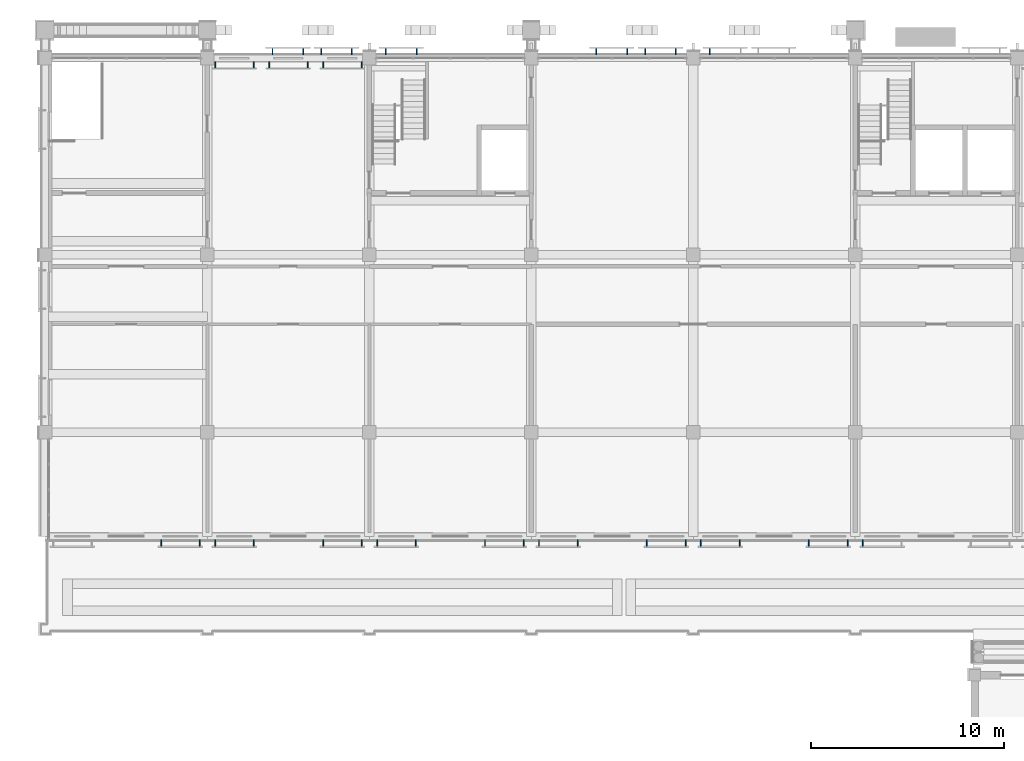
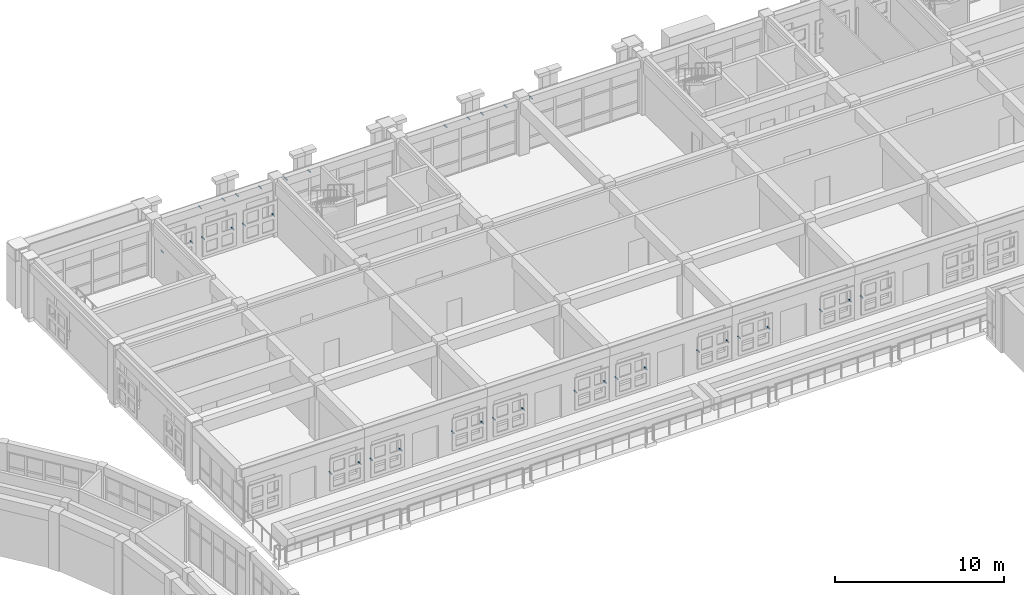
# One storey, part 80 of 99: 36 discrete accessories.
"""IFC4 building model written with IfcOpenShell, lengths in metres."""

from ifc_helpers import new_model, si_unit, direction, frame, origin, origin_2d, place, context, subcontext, project, spatial, rectangle, extrude, material, type_object, element, save


model = new_model("IFC4")

# Units and contexts
model_context = context("Model", 3, precision=1e-05, world=origin(), true_north=direction((0.0, 1.0)))
body_context = subcontext(model_context, "Body", "Model", "MODEL_VIEW")
ifc_project = project(units=[si_unit("LENGTHUNIT", "METRE"), si_unit("AREAUNIT", "SQUARE_METRE"), si_unit("VOLUMEUNIT", "CUBIC_METRE"), si_unit("PLANEANGLEUNIT", "RADIAN"), si_unit("MASSUNIT", "GRAM", prefix="KILO")], contexts=[model_context])

# Site, building, storey
site_placement = place(None, origin())
site = spatial("IfcSite", under=ifc_project, at=site_placement, CompositionType="ELEMENT")
building_placement = place(site_placement, origin())
building = spatial("IfcBuilding", under=site, at=building_placement, Name="Wasatch Bagh Community Centre", CompositionType="ELEMENT")
storey_placement = place(building_placement, frame((0.0, 0.0, 4.199951171875)))
storey = spatial("IfcBuildingStorey", under=building, at=storey_placement, Name="L01", CompositionType="ELEMENT", Elevation=4.199951171875)

# Discrete accessories
ifc_material = material(Name="Galvanised steel", Category="steel")
discrete_accessory_type = type_object("IfcDiscreteAccessoryType", Name="LW jali bracket", PredefinedType="BRACKET", material=ifc_material)
for number, where, z_axis, x_axis, name in (
    (1, (70.0, 72.659912109375, 1.63525390625), (0.0, 0.0, 1.0), (1.0, 0.0, 0.0), "Jali bracket"),
    (2, (72.0, 72.659912109375, 1.63525390625), (0.0, 0.0, 1.0), (1.0, 0.0, 0.0), "Jali bracket"),
    (3, (72.800048828125, 72.659912109375, 1.63525390625), (0.0, 0.0, 1.0), (1.0, 0.0, 0.0), "Jali bracket"),
    (4, (74.800048828125, 72.659912109375, 1.63525390625), (0.0, 0.0, 1.0), (1.0, 0.0, 0.0), "Jali bracket"),
    (5, (78.39990234375, 72.659912109375, 1.63525390625), (0.0, 0.0, 1.0), (1.0, 0.0, 0.0), "Jali bracket"),
    (6, (80.39990234375, 72.659912109375, 1.63525390625), (0.0, 0.0, 1.0), (1.0, 0.0, 0.0), "Jali bracket"),
    (7, (81.199951171875, 72.659912109375, 1.63525390625), (0.0, 0.0, 1.0), (1.0, 0.0, 0.0), "Jali bracket"),
    (8, (83.199951171875, 72.659912109375, 1.63525390625), (0.0, 0.0, 1.0), (1.0, 0.0, 0.0), "Jali bracket"),
    (9, (86.800048828125, 72.659912109375, 1.63525390625), (0.0, 0.0, 1.0), (1.0, 0.0, 0.0), "Jali bracket"),
    (10, (88.800048828125, 72.659912109375, 1.63525390625), (0.0, 0.0, 1.0), (1.0, 0.0, 0.0), "Jali bracket"),
    (11, (89.60009765625, 72.659912109375, 1.63525390625), (0.0, 0.0, 1.0), (1.0, 0.0, 0.0), "Jali bracket"),
    (12, (91.60009765625, 72.659912109375, 1.63525390625), (0.0, 0.0, 1.0), (1.0, 0.0, 0.0), "Jali bracket"),
    (13, (95.199951171875, 72.659912109375, 1.63525390625), (0.0, 0.0, 1.0), (1.0, 0.0, 0.0), "Jali bracket"),
    (14, (97.199951171875, 72.659912109375, 1.63525390625), (0.0, 0.0, 1.0), (1.0, 0.0, 0.0), "Jali bracket"),
    (15, (98.0, 72.659912109375, 1.63525390625), (0.0, 0.0, 1.0), (1.0, 0.0, 0.0), "Jali bracket"),
    (16, (100.0, 72.659912109375, 1.63525390625), (0.0, 0.0, 1.0), (1.0, 0.0, 0.0), "Jali bracket"),
    (17, (103.60009765625, 72.659912109375, 1.63525390625), (0.0, 0.0, 1.0), (1.0, 0.0, 0.0), "Jali bracket"),
    (18, (105.60009765625, 72.659912109375, 1.63525390625), (0.0, 0.0, 1.0), (1.0, 0.0, 0.0), "Jali bracket"),
    (19, (106.39990234375, 72.659912109375, 1.63525390625), (0.0, 0.0, 1.0), (1.0, 0.0, 0.0), "Jali bracket"),
    (20, (72.800048828125, 97.4599609375, 1.63525390625), (0.0, 0.0, 1.0), (1.0, 0.0, 0.0), "Jali bracket"),
    (21, (74.800048828125, 97.4599609375, 1.63525390625), (0.0, 0.0, 1.0), (1.0, 0.0, 0.0), "Jali bracket"),
    (22, (75.60009765625, 97.4599609375, 1.63525390625), (0.0, 0.0, 1.0), (1.0, 0.0, 0.0), "Jali bracket"),
    (23, (77.60009765625, 97.4599609375, 1.63525390625), (0.0, 0.0, 1.0), (1.0, 0.0, 0.0), "Jali bracket"),
    (24, (78.39990234375, 97.4599609375, 1.63525390625), (0.0, 0.0, 1.0), (1.0, 0.0, 0.0), "Jali bracket"),
    (25, (80.39990234375, 97.4599609375, 1.63525390625), (0.0, 0.0, 1.0), (1.0, 0.0, 0.0), "Jali bracket"),
):
    element("IfcDiscreteAccessory", number, at=place(storey_placement, frame(where, z_axis=z_axis, x_axis=x_axis)), inside=storey, type_object=discrete_accessory_type, Name=name, PredefinedType="BRACKET", context=body_context, shape_type="SweptSolid", body=[
        extrude(rectangle(XDim=0.050048828125, YDim=0.320068359375, at=origin_2d()), origin(), (0.0, 0.0, 1.0), 0.050048828125),
    ])
for number, where, z_axis, x_axis, name in (
    (26, (75.780029296875, 98.137451171875, 3.39501953125), (0.0, 0.0, 1.0), (1.0, 0.0, 0.0), "Jali bracket"),
    (27, (77.3798828125, 98.137451171875, 3.39501953125), (0.0, 0.0, 1.0), (1.0, 0.0, 0.0), "Jali bracket"),
    (28, (78.300048828125, 98.137451171875, 3.39501953125), (0.0, 0.0, 1.0), (1.0, 0.0, 0.0), "Jali bracket"),
    (29, (79.89990234375, 98.137451171875, 3.39501953125), (0.0, 0.0, 1.0), (1.0, 0.0, 0.0), "Jali bracket"),
    (30, (81.659912109375, 98.137451171875, 3.39501953125), (0.0, 0.0, 1.0), (1.0, 0.0, 0.0), "Jali bracket"),
    (31, (83.260009765625, 98.137451171875, 3.39501953125), (0.0, 0.0, 1.0), (1.0, 0.0, 0.0), "Jali bracket"),
    (32, (92.580078125, 98.137451171875, 3.39501953125), (0.0, 0.0, 1.0), (1.0, 0.0, 0.0), "Jali bracket"),
    (33, (94.179931640625, 98.137451171875, 3.39501953125), (0.0, 0.0, 1.0), (1.0, 0.0, 0.0), "Jali bracket"),
    (34, (95.10009765625, 98.137451171875, 3.39501953125), (0.0, 0.0, 1.0), (1.0, 0.0, 0.0), "Jali bracket"),
    (35, (96.699951171875, 98.137451171875, 3.39501953125), (0.0, 0.0, 1.0), (1.0, 0.0, 0.0), "Jali bracket"),
    (36, (98.4599609375, 98.137451171875, 3.39501953125), (0.0, 0.0, 1.0), (1.0, 0.0, 0.0), "Jali bracket"),
):
    element("IfcDiscreteAccessory", number, at=place(storey_placement, frame(where, z_axis=z_axis, x_axis=x_axis)), inside=storey, type_object=discrete_accessory_type, Name=name, PredefinedType="BRACKET", context=body_context, shape_type="SweptSolid", body=[
        extrude(rectangle(XDim=0.050048828125, YDim=0.324951171875, at=origin_2d()), origin(), (0.0, 0.0, 1.0), 0.050048828125),
    ])

save(model, "model.ifc")
